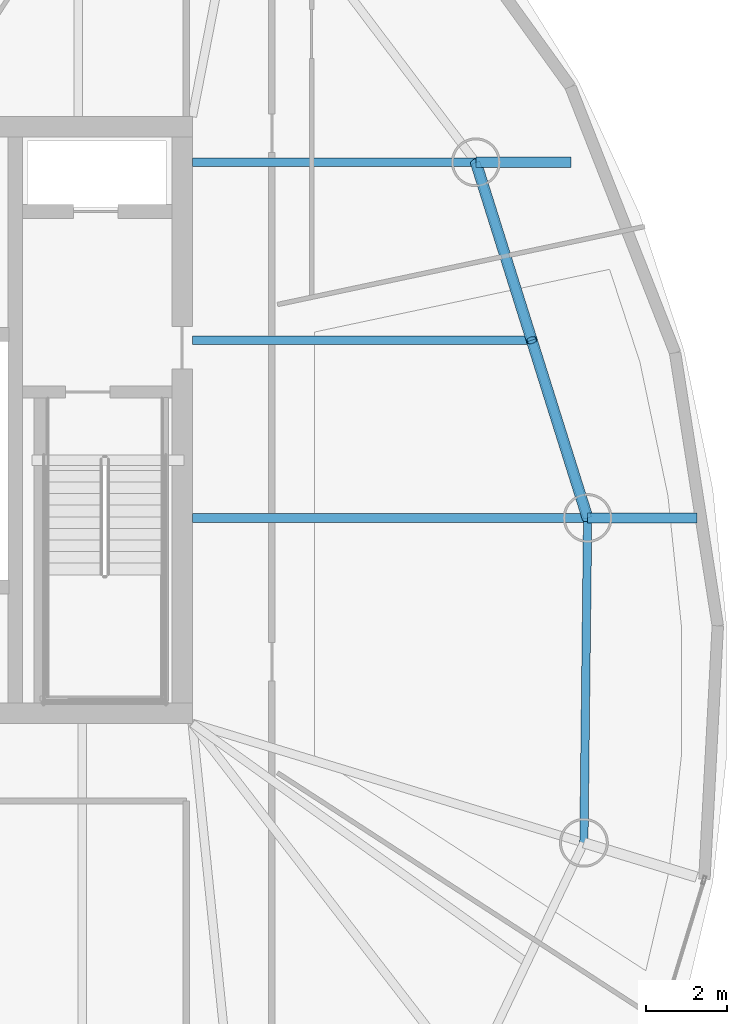
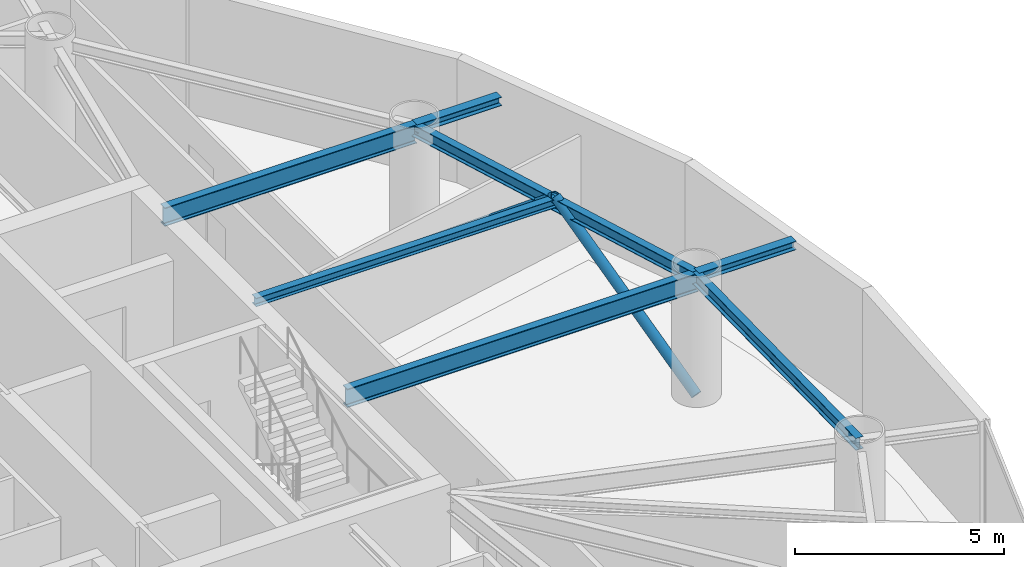
# One storey, part 6 of 19: 7 beams, 2 members.
"""IFC4 building model written with IfcOpenShell, lengths in metres."""

from ifc_helpers import new_model, si_unit, direction, frame, origin, origin_2d, place, context, subcontext, project, spatial, hollow_circle, i_section, extrude, material, material_profile, profile_set, type_object, element, save


model = new_model("IFC4")

# Units and contexts
model_context = context("Model", 3, precision=1e-05, world=origin(), true_north=direction((0.0, 1.0)))
body_context = subcontext(model_context, "Body", "Model", "MODEL_VIEW")
ifc_project = project(units=[si_unit("LENGTHUNIT", "METRE"), si_unit("AREAUNIT", "SQUARE_METRE"), si_unit("VOLUMEUNIT", "CUBIC_METRE"), si_unit("PLANEANGLEUNIT", "RADIAN"), si_unit("MASSUNIT", "GRAM", prefix="KILO")], contexts=[model_context])

# Site, building, storey
site_placement = place(None, origin())
site = spatial("IfcSite", under=ifc_project, at=site_placement, CompositionType="ELEMENT")
building_placement = place(site_placement, origin())
building = spatial("IfcBuilding", under=site, at=building_placement, Name="Bramvorn Convention Spire", CompositionType="ELEMENT")
storey_placement = place(building_placement, frame((0.0, 0.0, 217.39990234375)))
storey = spatial("IfcBuildingStorey", under=building, at=storey_placement, Name="L55", CompositionType="ELEMENT", Elevation=217.39990234375)

# Beams
ifc_material = material(Name="Steel CSA G40.21 Grade 350 (350W)", Category="steel")
ifc_material_profile_1 = material_profile(ifc_material, i_section(OverallWidth=0.201904296875, OverallDepth=0.2470703125, WebThickness=0.00732421875, FlangeThickness=0.010986328125, FilletRadius=0.011962890625, at=origin_2d()))
ifc_profile_set_1 = profile_set([ifc_material_profile_1], Name="Steel CSA G40.21 Grade 350 (350W) - W250X49")
beam_type_1 = type_object("IfcBeamType", Name="BM-W250X49", PredefinedType="JOIST", material=ifc_profile_set_1)
beam_1_placement = place(storey_placement, frame((49.25, 27.960205078125, 3.49658203125), z_axis=(1.0, 0.0, 0.0), x_axis=(0.0, 1.0, 0.0)))
element("IfcBeam", 1, at=beam_1_placement, inside=storey, type_object=beam_type_1, Name="L55 composite floor joist 03", PredefinedType="JOIST", context=body_context, shape_type="SweptSolid", body=[
    extrude(i_section(OverallWidth=0.201904296875, OverallDepth=0.2470703125, WebThickness=0.00732421875, FlangeThickness=0.010986328125, FilletRadius=0.011962890625, at=origin_2d()), origin(), (0.0, 0.0, 1.0), 8.33251953125),
])
ifc_material_profile_2 = material_profile(ifc_material, i_section(OverallWidth=0.25390625, OverallDepth=0.2529296875, WebThickness=0.008544921875, FlangeThickness=0.01416015625, FilletRadius=0.011962890625, at=origin_2d()))
ifc_profile_set_2 = profile_set([ifc_material_profile_2], Name="Steel CSA G40.21 Grade 350 (350W) - W250X73")
beam_type_2 = type_object("IfcBeamType", Name="BM-W250X73", PredefinedType="BEAM", material=ifc_profile_set_2)
beam_2_placement = place(storey_placement, frame((58.95458984375, 23.593505859375, 3.49365234375), z_axis=(1.0, 0.0, 0.0), x_axis=(0.0, 1.0, 0.0)))
element("IfcBeam", 2, at=beam_2_placement, inside=storey, type_object=beam_type_2, Name="L55 slab-edge cantilever tip beam MC03", PredefinedType="BEAM", context=body_context, shape_type="SweptSolid", body=[
    extrude(i_section(OverallWidth=0.25390625, OverallDepth=0.2529296875, WebThickness=0.008544921875, FlangeThickness=0.01416015625, FilletRadius=0.011962890625, at=origin_2d()), origin(), (0.0, 0.0, 1.0), 2.690185546875),
])
beam_3_placement = place(storey_placement, frame((56.21044921875, 32.327392578125, 3.49365234375), z_axis=(1.0, 0.0, 0.0), x_axis=(0.0, 1.0, 0.0)))
element("IfcBeam", 3, at=beam_3_placement, inside=storey, type_object=beam_type_2, Name="L55 slab-edge cantilever tip beam MC04", PredefinedType="BEAM", context=body_context, shape_type="SweptSolid", body=[
    extrude(i_section(OverallWidth=0.25390625, OverallDepth=0.2529296875, WebThickness=0.008544921875, FlangeThickness=0.01416015625, FilletRadius=0.011962890625, at=origin_2d()), origin(), (0.0, 0.0, 1.0), 2.334716796875),
])
ifc_material_profile_3 = material_profile(ifc_material, i_section(OverallWidth=0.205078125, OverallDepth=0.35400390625, WebThickness=0.009521484375, FlangeThickness=0.016845703125, FilletRadius=0.014892578125, at=origin_2d()))
ifc_profile_set_3 = profile_set([ifc_material_profile_3], Name="Steel CSA G40.21 Grade 350 (350W) - W360X79")
beam_type_3 = type_object("IfcBeamType", Name="BM-W360X79", PredefinedType="JOIST", material=ifc_profile_set_3)
beam_4_placement = place(storey_placement, frame((58.863037109375, 15.619384765625, 3.443115234375), z_axis=(0.011480475367, 0.999934097171, 0.0), x_axis=(-0.999934097171, 0.011480475367, 0.0)))
element("IfcBeam", 4, at=beam_4_placement, inside=storey, type_object=beam_type_3, Name="L55 mega-column ring beam 02", PredefinedType="JOIST", context=body_context, shape_type="SweptSolid", body=[
    extrude(i_section(OverallWidth=0.205078125, OverallDepth=0.35400390625, WebThickness=0.009521484375, FlangeThickness=0.016845703125, FilletRadius=0.014892578125, at=origin_2d()), origin(), (0.0, 0.0, 1.0), 7.974609375),
])
beam_5_placement = place(storey_placement, frame((58.95458984375, 23.593505859375, 3.443115234375), z_axis=(-0.299747542929, 0.954018558786, 0.0), x_axis=(-0.954018558786, -0.299747542929, 0.0)))
element("IfcBeam", 5, at=beam_5_placement, inside=storey, type_object=beam_type_3, Name="L55 mega-column ring beam 03", PredefinedType="JOIST", context=body_context, shape_type="SweptSolid", body=[
    extrude(i_section(OverallWidth=0.205078125, OverallDepth=0.35400390625, WebThickness=0.009521484375, FlangeThickness=0.016845703125, FilletRadius=0.014892578125, at=origin_2d()), origin(), (0.0, 0.0, 1.0), 9.15478515625),
])
ifc_material_profile_4 = material_profile(ifc_material, i_section(OverallWidth=0.2119140625, OverallDepth=0.5439453125, WebThickness=0.01318359375, FlangeThickness=0.021240234375, FilletRadius=0.01904296875, at=origin_2d()))
ifc_profile_set_4 = profile_set([ifc_material_profile_4], Name="Steel CSA G40.21 Grade 350 (350W) - W530X123")
beam_type_4 = type_object("IfcBeamType", Name="BM-W530X123", PredefinedType="BEAM", material=ifc_profile_set_4)
beam_6_placement = place(storey_placement, frame((49.25, 23.593505859375, 3.34814453125), z_axis=(1.0, 0.0, 0.0), x_axis=(0.0, 1.0, 0.0)))
element("IfcBeam", 6, at=beam_6_placement, inside=storey, type_object=beam_type_4, Name="L55 radial floor girder MC03", PredefinedType="BEAM", context=body_context, shape_type="SweptSolid", body=[
    extrude(i_section(OverallWidth=0.2119140625, OverallDepth=0.5439453125, WebThickness=0.01318359375, FlangeThickness=0.021240234375, FilletRadius=0.01904296875, at=origin_2d()), origin(), (0.0, 0.0, 1.0), 9.70458984375),
])
beam_7_placement = place(storey_placement, frame((49.25, 32.327392578125, 3.34814453125), z_axis=(1.0, 0.0, 0.0), x_axis=(0.0, 1.0, 0.0)))
element("IfcBeam", 7, at=beam_7_placement, inside=storey, type_object=beam_type_4, Name="L55 radial floor girder MC04", PredefinedType="BEAM", context=body_context, shape_type="SweptSolid", body=[
    extrude(i_section(OverallWidth=0.2119140625, OverallDepth=0.5439453125, WebThickness=0.01318359375, FlangeThickness=0.021240234375, FilletRadius=0.01904296875, at=origin_2d()), origin(), (0.0, 0.0, 1.0), 6.96044921875),
])

# Members
ifc_material_profile_5 = material_profile(ifc_material, hollow_circle(Radius=0.136474609375, WallThickness=0.0126953125, at=origin_2d()))
ifc_profile_set_5 = profile_set([ifc_material_profile_5], Name="Steel CSA G40.21 Grade 350 (350W) - CHS273X13")
member_type = type_object("IfcMemberType", Name="MBR-CHS273X13", PredefinedType="BRACE", material=ifc_profile_set_5)
for number, where, z_axis, x_axis, name in (
    (8, (58.95458984375, 23.593505859375, 0.0), (-0.235107601758, 0.74828641862, 0.620315928624), (-0.954018558786, -0.299747542929, 0.0), "L55 perimeter Gothic lancet brace 3A"),
    (9, (56.21044921875, 32.327392578125, 0.0), (0.235107601758, -0.74828641862, 0.620315928624), (0.954018558786, 0.299747542929, 0.0), "L55 perimeter Gothic lancet brace 3B"),
):
    element("IfcMember", number, at=place(storey_placement, frame(where, z_axis=z_axis, x_axis=x_axis)), inside=storey, type_object=member_type, Name=name, PredefinedType="BRACE", context=body_context, shape_type="SweptSolid", body=[
        extrude(hollow_circle(Radius=0.136474609375, WallThickness=0.0126953125, at=origin_2d()), origin(), (0.0, 0.0, 1.0), 5.8359375),
    ])

save(model, "model.ifc")
